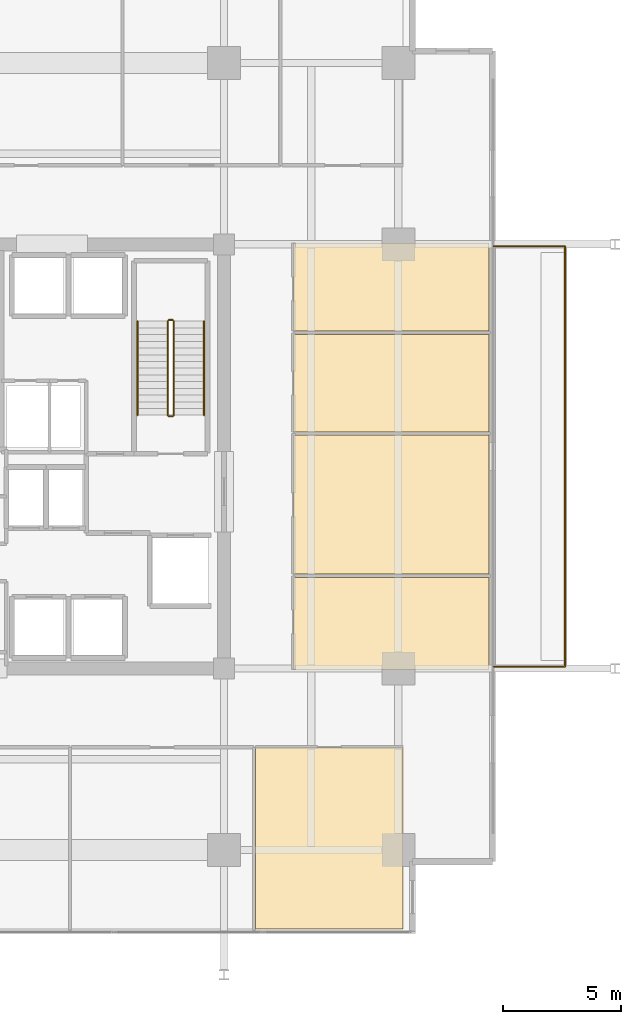
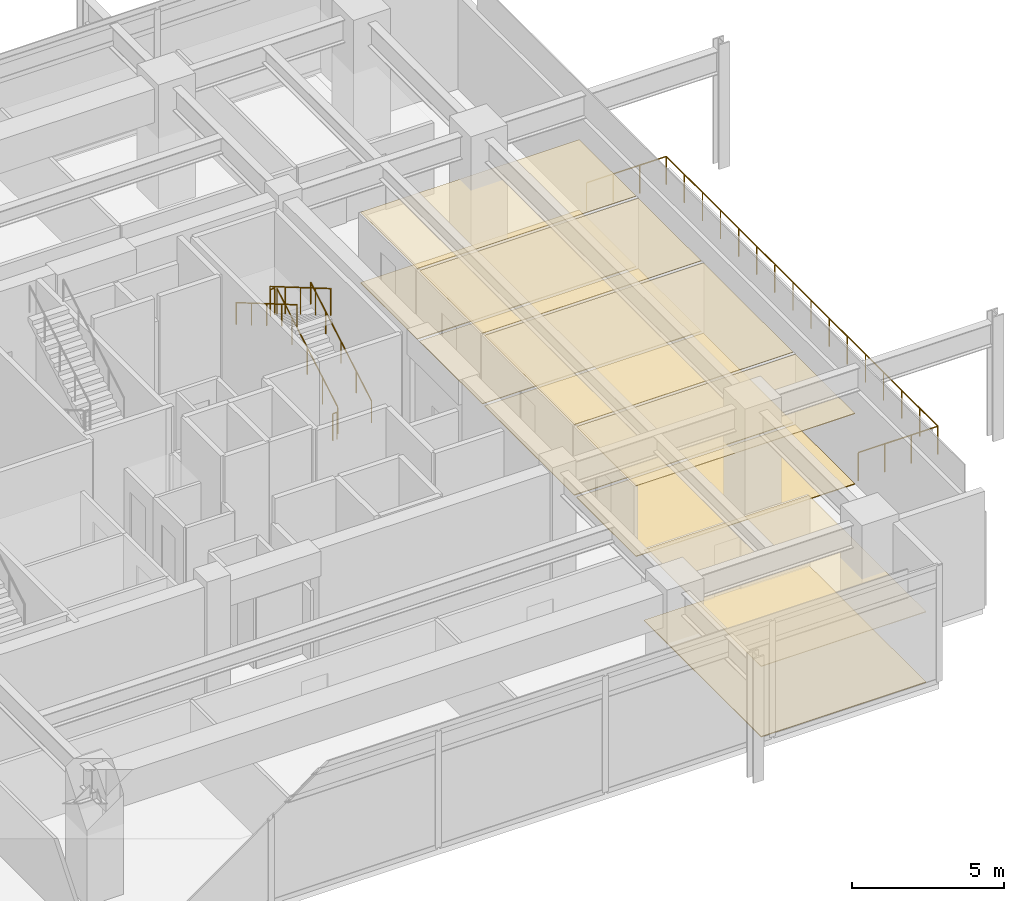
# One storey, part 18 of 19: 10 coverings, 7 railings.
"""IFC4 building model written with IfcOpenShell, lengths in metres."""

from ifc_helpers import new_model, si_unit, direction, frame, origin, origin_2d, place, context, subcontext, project, spatial, polyline, circle, outline, extrude, material, layer, layer_set, type_object, element, save


model = new_model("IFC4")

# Units and contexts
model_context = context("Model", 3, precision=1e-05, world=origin(), true_north=direction((0.0, 1.0)))
body_context = subcontext(model_context, "Body", "Model", "MODEL_VIEW")
ifc_project = project(units=[si_unit("LENGTHUNIT", "METRE"), si_unit("AREAUNIT", "SQUARE_METRE"), si_unit("VOLUMEUNIT", "CUBIC_METRE"), si_unit("PLANEANGLEUNIT", "RADIAN"), si_unit("MASSUNIT", "GRAM", prefix="KILO")], contexts=[model_context])

# Site, building, storey
site_placement = place(None, origin())
site = spatial("IfcSite", under=ifc_project, at=site_placement, CompositionType="ELEMENT")
building_placement = place(site_placement, origin())
building = spatial("IfcBuilding", under=site, at=building_placement, Name="Kovane Verandah Tower", CompositionType="ELEMENT")
storey_placement = place(building_placement, frame((0.0, 0.0, 184.39990234375)))
storey = spatial("IfcBuildingStorey", under=building, at=storey_placement, Name="L43", CompositionType="ELEMENT", Elevation=184.39990234375)

# Coverings
ifc_material_1 = material(Name="Perforated Acoustic Mineral-Fibre Ceiling Tile", Category="gypsum")
ifc_layer_1 = layer(ifc_material_1, 0.02490234375)
ifc_layer_set_1 = layer_set([ifc_layer_1], Name="Perforated Acoustic Mineral-Fibre Ceiling Tile")
covering_type_1 = type_object("IfcCoveringType", Name="CV-CEIL-25", PredefinedType="CEILING", material=ifc_layer_set_1)
covering_1_placement = place(storey_placement, frame((0.0, 0.0, 2.8251953125)))
element("IfcCovering", 1, at=covering_1_placement, inside=storey, type_object=covering_type_1, Name="L43 Document and Print Room S5 Acoustic Ceiling", PredefinedType="CEILING", context=body_context, shape_type="SweptSolid", body=[
    extrude(outline(polyline([(52.345947265625, 7.449951171875), (58.60009765625, 7.449951171875), (58.60009765625, 15.14990234375), (52.345947265625, 15.14990234375), (52.345947265625, 7.449951171875)])), origin(), (0.0, 0.0, 1.0), 0.02490234375),
])
covering_2_placement = place(storey_placement, frame((0.0, 0.0, 2.8251953125)))
element("IfcCovering", 2, at=covering_2_placement, inside=storey, type_object=covering_type_1, Name="L43 Meeting Room E1 Acoustic Ceiling", PredefinedType="CEILING", context=body_context, shape_type="SweptSolid", body=[
    extrude(outline(polyline([(53.949951171875, 18.449951171875), (62.25, 18.449951171875), (62.25, 22.362060546875), (53.949951171875, 22.362060546875), (53.949951171875, 18.449951171875)])), origin(), (0.0, 0.0, 1.0), 0.02490234375),
])
covering_3_placement = place(storey_placement, frame((0.0, 0.0, 2.8251953125)))
element("IfcCovering", 3, at=covering_3_placement, inside=storey, type_object=covering_type_1, Name="L43 Focus Studio E2 Acoustic Ceiling", PredefinedType="CEILING", context=body_context, shape_type="SweptSolid", body=[
    extrude(outline(polyline([(53.949951171875, 22.501953125), (62.25, 22.501953125), (62.25, 28.39990234375), (53.949951171875, 28.39990234375), (53.949951171875, 22.501953125)])), origin(), (0.0, 0.0, 1.0), 0.02490234375),
])
covering_4_placement = place(storey_placement, frame((0.0, 0.0, 2.8251953125)))
element("IfcCovering", 4, at=covering_4_placement, inside=storey, type_object=covering_type_1, Name="L43 Breakout Pantry E3 Acoustic Ceiling", PredefinedType="CEILING", context=body_context, shape_type="SweptSolid", body=[
    extrude(outline(polyline([(53.949951171875, 28.5400390625), (62.25, 28.5400390625), (62.25, 32.678955078125), (53.949951171875, 32.678955078125), (53.949951171875, 28.5400390625)])), origin(), (0.0, 0.0, 1.0), 0.02490234375),
])
covering_5_placement = place(storey_placement, frame((0.0, 0.0, 2.8251953125)))
element("IfcCovering", 5, at=covering_5_placement, inside=storey, type_object=covering_type_1, Name="L43 Collaboration Hub E4 Acoustic Ceiling", PredefinedType="CEILING", context=body_context, shape_type="SweptSolid", body=[
    extrude(outline(polyline([(53.949951171875, 32.819091796875), (62.25, 32.819091796875), (62.25, 36.550048828125), (53.949951171875, 36.550048828125), (53.949951171875, 32.819091796875)])), origin(), (0.0, 0.0, 1.0), 0.02490234375),
])
ifc_material_2 = material(Name="Polished Terrazzo and Raised-Access Carpet Tile Finish", Category="concrete")
ifc_layer_2 = layer(ifc_material_2, 0.030029296875)
ifc_layer_set_2 = layer_set([ifc_layer_2], Name="Polished Terrazzo and Raised-Access Carpet Tile Finish")
covering_type_2 = type_object("IfcCoveringType", Name="CV-FLOR-30", PredefinedType="FLOORING", material=ifc_layer_set_2)
covering_6_placement = place(storey_placement, origin())
element("IfcCovering", 6, at=covering_6_placement, inside=storey, type_object=covering_type_2, Name="L43 Document and Print Room S5 Floor Finish", PredefinedType="FLOORING", context=body_context, shape_type="SweptSolid", body=[
    extrude(outline(polyline([(52.345947265625, 7.449951171875), (58.60009765625, 7.449951171875), (58.60009765625, 15.14990234375), (52.345947265625, 15.14990234375), (52.345947265625, 7.449951171875)])), origin(), (0.0, 0.0, 1.0), 0.030029296875),
])
covering_7_placement = place(storey_placement, origin())
element("IfcCovering", 7, at=covering_7_placement, inside=storey, type_object=covering_type_2, Name="L43 Meeting Room E1 Floor Finish", PredefinedType="FLOORING", context=body_context, shape_type="SweptSolid", body=[
    extrude(outline(polyline([(53.949951171875, 18.449951171875), (62.25, 18.449951171875), (62.25, 22.362060546875), (53.949951171875, 22.362060546875), (53.949951171875, 18.449951171875)])), origin(), (0.0, 0.0, 1.0), 0.030029296875),
])
covering_8_placement = place(storey_placement, origin())
element("IfcCovering", 8, at=covering_8_placement, inside=storey, type_object=covering_type_2, Name="L43 Focus Studio E2 Floor Finish", PredefinedType="FLOORING", context=body_context, shape_type="SweptSolid", body=[
    extrude(outline(polyline([(53.949951171875, 22.501953125), (62.25, 22.501953125), (62.25, 28.39990234375), (53.949951171875, 28.39990234375), (53.949951171875, 22.501953125)])), origin(), (0.0, 0.0, 1.0), 0.030029296875),
])
covering_9_placement = place(storey_placement, origin())
element("IfcCovering", 9, at=covering_9_placement, inside=storey, type_object=covering_type_2, Name="L43 Breakout Pantry E3 Floor Finish", PredefinedType="FLOORING", context=body_context, shape_type="SweptSolid", body=[
    extrude(outline(polyline([(53.949951171875, 28.5400390625), (62.25, 28.5400390625), (62.25, 32.678955078125), (53.949951171875, 32.678955078125), (53.949951171875, 28.5400390625)])), origin(), (0.0, 0.0, 1.0), 0.030029296875),
])
covering_10_placement = place(storey_placement, origin())
element("IfcCovering", 10, at=covering_10_placement, inside=storey, type_object=covering_type_2, Name="L43 Collaboration Hub E4 Floor Finish", PredefinedType="FLOORING", context=body_context, shape_type="SweptSolid", body=[
    extrude(outline(polyline([(53.949951171875, 32.819091796875), (62.25, 32.819091796875), (62.25, 36.550048828125), (53.949951171875, 36.550048828125), (53.949951171875, 32.819091796875)])), origin(), (0.0, 0.0, 1.0), 0.030029296875),
])

# Railings
ifc_material_3 = material(Name="Laminated Glass and Pale-Champagne Stainless Balustrade", Category="glass")
railing_type_1 = type_object("IfcRailingType", Name="RL-BAL-1150", PredefinedType="BALUSTRADE", material=ifc_material_3)
railing_1_placement = place(storey_placement, frame((62.449951171875, 18.580078125, 0.0)))
element("IfcRailing", 11, at=railing_1_placement, inside=storey, type_object=railing_type_1, Name="L43 E Verandah Glass Balustrade", PredefinedType="BALUSTRADE", context=body_context, shape_type="SweptSolid", body=[
    extrude(circle(Radius=0.02392578125, at=origin_2d()), frame((0.0, 0.0, 1.1259765625), z_axis=(1.0, 0.0, 0.0), x_axis=(0.0, 1.0, 0.0)), (0.0, 0.0, 1.0), 3.02001953125),
    extrude(circle(Radius=0.02392578125, at=origin_2d()), frame((3.02001953125, 0.0, 1.1259765625), z_axis=(0.0, 1.0, 0.0), x_axis=(-1.0, 0.0, 0.0)), (0.0, 0.0, 1.0), 17.83984375),
    extrude(circle(Radius=0.02392578125, at=origin_2d()), frame((3.02001953125, 17.83984375, 1.1259765625), z_axis=(-1.0, 0.0, 0.0), x_axis=(0.0, -1.0, 0.0)), (0.0, 0.0, 1.0), 3.02001953125),
    extrude(circle(Radius=0.02099609375, at=origin_2d()), origin(), (0.0, 0.0, 1.0), 1.101806640625),
    extrude(circle(Radius=0.02099609375, at=origin_2d()), frame((1.006591796875, 0.0, 0.0)), (0.0, 0.0, 1.0), 1.101806640625),
    extrude(circle(Radius=0.02099609375, at=origin_2d()), frame((2.013427734375, 0.0, 0.0)), (0.0, 0.0, 1.0), 1.101806640625),
    extrude(circle(Radius=0.02099609375, at=origin_2d()), frame((3.02001953125, 0.0, 0.0)), (0.0, 0.0, 1.0), 1.101806640625),
    extrude(circle(Radius=0.02099609375, at=origin_2d()), frame((3.02001953125, 1.189208984375, 0.0)), (0.0, 0.0, 1.0), 1.101806640625),
    extrude(circle(Radius=0.02099609375, at=origin_2d()), frame((3.02001953125, 2.378662109375, 0.0)), (0.0, 0.0, 1.0), 1.101806640625),
    extrude(circle(Radius=0.02099609375, at=origin_2d()), frame((3.02001953125, 3.56787109375, 0.0)), (0.0, 0.0, 1.0), 1.101806640625),
    extrude(circle(Radius=0.02099609375, at=origin_2d()), frame((3.02001953125, 4.75732421875, 0.0)), (0.0, 0.0, 1.0), 1.101806640625),
    extrude(circle(Radius=0.02099609375, at=origin_2d()), frame((3.02001953125, 5.946533203125, 0.0)), (0.0, 0.0, 1.0), 1.101806640625),
    extrude(circle(Radius=0.02099609375, at=origin_2d()), frame((3.02001953125, 7.135986328125, 0.0)), (0.0, 0.0, 1.0), 1.101806640625),
    extrude(circle(Radius=0.02099609375, at=origin_2d()), frame((3.02001953125, 8.3251953125, 0.0)), (0.0, 0.0, 1.0), 1.101806640625),
    extrude(circle(Radius=0.02099609375, at=origin_2d()), frame((3.02001953125, 9.5146484375, 0.0)), (0.0, 0.0, 1.0), 1.101806640625),
    extrude(circle(Radius=0.02099609375, at=origin_2d()), frame((3.02001953125, 10.703857421875, 0.0)), (0.0, 0.0, 1.0), 1.101806640625),
    extrude(circle(Radius=0.02099609375, at=origin_2d()), frame((3.02001953125, 11.893310546875, 0.0)), (0.0, 0.0, 1.0), 1.101806640625),
    extrude(circle(Radius=0.02099609375, at=origin_2d()), frame((3.02001953125, 13.08251953125, 0.0)), (0.0, 0.0, 1.0), 1.101806640625),
    extrude(circle(Radius=0.02099609375, at=origin_2d()), frame((3.02001953125, 14.27197265625, 0.0)), (0.0, 0.0, 1.0), 1.101806640625),
    extrude(circle(Radius=0.02099609375, at=origin_2d()), frame((3.02001953125, 15.461181640625, 0.0)), (0.0, 0.0, 1.0), 1.101806640625),
    extrude(circle(Radius=0.02099609375, at=origin_2d()), frame((3.02001953125, 16.650634765625, 0.0)), (0.0, 0.0, 1.0), 1.101806640625),
    extrude(circle(Radius=0.02099609375, at=origin_2d()), frame((3.02001953125, 17.83984375, 0.0)), (0.0, 0.0, 1.0), 1.101806640625),
    extrude(circle(Radius=0.02099609375, at=origin_2d()), frame((2.013427734375, 17.83984375, 0.0)), (0.0, 0.0, 1.0), 1.101806640625),
    extrude(circle(Radius=0.02099609375, at=origin_2d()), frame((1.006591796875, 17.83984375, 0.0)), (0.0, 0.0, 1.0), 1.101806640625),
    extrude(circle(Radius=0.02099609375, at=origin_2d()), frame((0.0, 17.83984375, 0.0)), (0.0, 0.0, 1.0), 1.101806640625),
])
ifc_material_4 = material(Name="Brushed Stainless Steel Handrail", Category="steel")
railing_type_2 = type_object("IfcRailingType", Name="RL-HAND-920", PredefinedType="HANDRAIL", material=ifc_material_4)
railing_2_placement = place(storey_placement, frame((50.14990234375, 29.25, 0.166748046875)))
element("IfcRailing", 12, at=railing_2_placement, inside=storey, type_object=railing_type_2, Name="L43 ST-02 stair handrail 1", PredefinedType="HANDRAIL", context=body_context, shape_type="SweptSolid", body=[
    extrude(circle(Radius=0.02392578125, at=origin_2d()), frame((0.0, 0.0, 0.8759765625), z_axis=(0.0, 0.863236243904, 0.504800145811), x_axis=(-1.0, 0.0, 0.0)), (0.0, 0.0, 1.0), 4.6220703125),
    extrude(circle(Radius=0.02099609375, at=origin_2d()), origin(), (0.0, 0.0, 1.0), 0.851806640625),
    extrude(circle(Radius=0.02099609375, at=origin_2d()), frame((0.0, 0.99755859375, 0.583251953125)), (0.0, 0.0, 1.0), 0.851806640625),
    extrude(circle(Radius=0.02099609375, at=origin_2d()), frame((0.0, 1.9951171875, 1.16650390625)), (0.0, 0.0, 1.0), 0.851806640625),
    extrude(circle(Radius=0.02099609375, at=origin_2d()), frame((0.0, 2.992431640625, 1.75)), (0.0, 0.0, 1.0), 0.851806640625),
    extrude(circle(Radius=0.02099609375, at=origin_2d()), frame((0.0, 3.989990234375, 2.333251953125)), (0.0, 0.0, 1.0), 0.851806640625),
])
railing_3_placement = place(storey_placement, frame((47.330078125, 33.239990234375, 2.666748046875)))
element("IfcRailing", 13, at=railing_3_placement, inside=storey, type_object=railing_type_2, Name="L43 ST-02 stair handrail 2", PredefinedType="HANDRAIL", context=body_context, shape_type="SweptSolid", body=[
    extrude(circle(Radius=0.02392578125, at=origin_2d()), frame((0.0, 0.0, 0.8759765625), z_axis=(0.0, -0.863236243904, 0.504800145811), x_axis=(1.0, 0.0, 0.0)), (0.0, 0.0, 1.0), 4.6220703125),
    extrude(circle(Radius=0.02099609375, at=origin_2d()), origin(), (0.0, 0.0, 1.0), 0.851806640625),
    extrude(circle(Radius=0.02099609375, at=origin_2d()), frame((0.0, -0.99755859375, 0.583251953125)), (0.0, 0.0, 1.0), 0.851806640625),
    extrude(circle(Radius=0.02099609375, at=origin_2d()), frame((0.0, -1.9951171875, 1.16650390625)), (0.0, 0.0, 1.0), 0.851806640625),
    extrude(circle(Radius=0.02099609375, at=origin_2d()), frame((0.0, -2.992431640625, 1.75)), (0.0, 0.0, 1.0), 0.851806640625),
    extrude(circle(Radius=0.02099609375, at=origin_2d()), frame((0.0, -3.989990234375, 2.333251953125)), (0.0, 0.0, 1.0), 0.851806640625),
])
ifc_material_5 = material(Name="Painted Steel Stairwell Guardrail", Category="steel")
railing_type_3 = type_object("IfcRailingType", Name="RL-STGUARD-1120", PredefinedType="GUARDRAIL", material=ifc_material_5)
railing_4_placement = place(storey_placement, frame((48.8701171875, 29.25, 0.166748046875)))
element("IfcRailing", 14, at=railing_4_placement, inside=storey, type_object=railing_type_3, Name="L43 ST-02 stair guard 1", PredefinedType="GUARDRAIL", context=body_context, shape_type="SweptSolid", body=[
    extrude(circle(Radius=0.02392578125, at=origin_2d()), frame((0.0, 0.0, 1.076171875), z_axis=(0.0, 0.863236243904, 0.504800145811), x_axis=(-1.0, 0.0, 0.0)), (0.0, 0.0, 1.0), 4.6220703125),
    extrude(circle(Radius=0.02099609375, at=origin_2d()), origin(), (0.0, 0.0, 1.0), 1.052001953125),
    extrude(circle(Radius=0.02099609375, at=origin_2d()), frame((0.0, 0.99755859375, 0.583251953125)), (0.0, 0.0, 1.0), 1.052001953125),
    extrude(circle(Radius=0.02099609375, at=origin_2d()), frame((0.0, 1.9951171875, 1.16650390625)), (0.0, 0.0, 1.0), 1.052001953125),
    extrude(circle(Radius=0.02099609375, at=origin_2d()), frame((0.0, 2.992431640625, 1.75)), (0.0, 0.0, 1.0), 1.052001953125),
    extrude(circle(Radius=0.02099609375, at=origin_2d()), frame((0.0, 3.989990234375, 2.333251953125)), (0.0, 0.0, 1.0), 1.052001953125),
])
railing_5_placement = place(storey_placement, frame((48.820068359375, 33.2900390625, 2.5)))
element("IfcRailing", 15, at=railing_5_placement, inside=storey, type_object=railing_type_3, Name="L43 ST-02 stair guard 2", PredefinedType="GUARDRAIL", context=body_context, shape_type="SweptSolid", body=[
    extrude(circle(Radius=0.02392578125, at=origin_2d()), frame((0.0, 0.0, 1.076171875), z_axis=(-1.0, 0.0, 0.0), x_axis=(0.0, -1.0, 0.0)), (0.0, 0.0, 1.0), 0.16015625),
    extrude(circle(Radius=0.02099609375, at=origin_2d()), origin(), (0.0, 0.0, 1.0), 1.052001953125),
    extrude(circle(Radius=0.02099609375, at=origin_2d()), frame((-0.16015625, 0.0, 0.0)), (0.0, 0.0, 1.0), 1.052001953125),
])
railing_6_placement = place(storey_placement, frame((48.610107421875, 33.239990234375, 2.666748046875)))
element("IfcRailing", 16, at=railing_6_placement, inside=storey, type_object=railing_type_3, Name="L43 ST-02 stair guard 3", PredefinedType="GUARDRAIL", context=body_context, shape_type="SweptSolid", body=[
    extrude(circle(Radius=0.02392578125, at=origin_2d()), frame((0.0, 0.0, 1.076171875), z_axis=(0.0, -0.863236243904, 0.504800145811), x_axis=(1.0, 0.0, 0.0)), (0.0, 0.0, 1.0), 4.6220703125),
    extrude(circle(Radius=0.02099609375, at=origin_2d()), origin(), (0.0, 0.0, 1.0), 1.052001953125),
    extrude(circle(Radius=0.02099609375, at=origin_2d()), frame((0.0, -0.99755859375, 0.583251953125)), (0.0, 0.0, 1.0), 1.052001953125),
    extrude(circle(Radius=0.02099609375, at=origin_2d()), frame((0.0, -1.9951171875, 1.16650390625)), (0.0, 0.0, 1.0), 1.052001953125),
    extrude(circle(Radius=0.02099609375, at=origin_2d()), frame((0.0, -2.992431640625, 1.75)), (0.0, 0.0, 1.0), 1.052001953125),
    extrude(circle(Radius=0.02099609375, at=origin_2d()), frame((0.0, -3.989990234375, 2.333251953125)), (0.0, 0.0, 1.0), 1.052001953125),
])
railing_7_placement = place(storey_placement, frame((48.820068359375, 29.199951171875, 0.0)))
element("IfcRailing", 17, at=railing_7_placement, inside=storey, type_object=railing_type_3, Name="L43 ST-02 stair guard 4", PredefinedType="GUARDRAIL", context=body_context, shape_type="SweptSolid", body=[
    extrude(circle(Radius=0.02392578125, at=origin_2d()), frame((0.0, 0.0, 1.076171875), z_axis=(-1.0, 0.0, 0.0), x_axis=(0.0, -1.0, 0.0)), (0.0, 0.0, 1.0), 0.16015625),
    extrude(circle(Radius=0.02099609375, at=origin_2d()), origin(), (0.0, 0.0, 1.0), 1.052001953125),
    extrude(circle(Radius=0.02099609375, at=origin_2d()), frame((-0.16015625, 0.0, 0.0)), (0.0, 0.0, 1.0), 1.052001953125),
])

save(model, "model.ifc")
